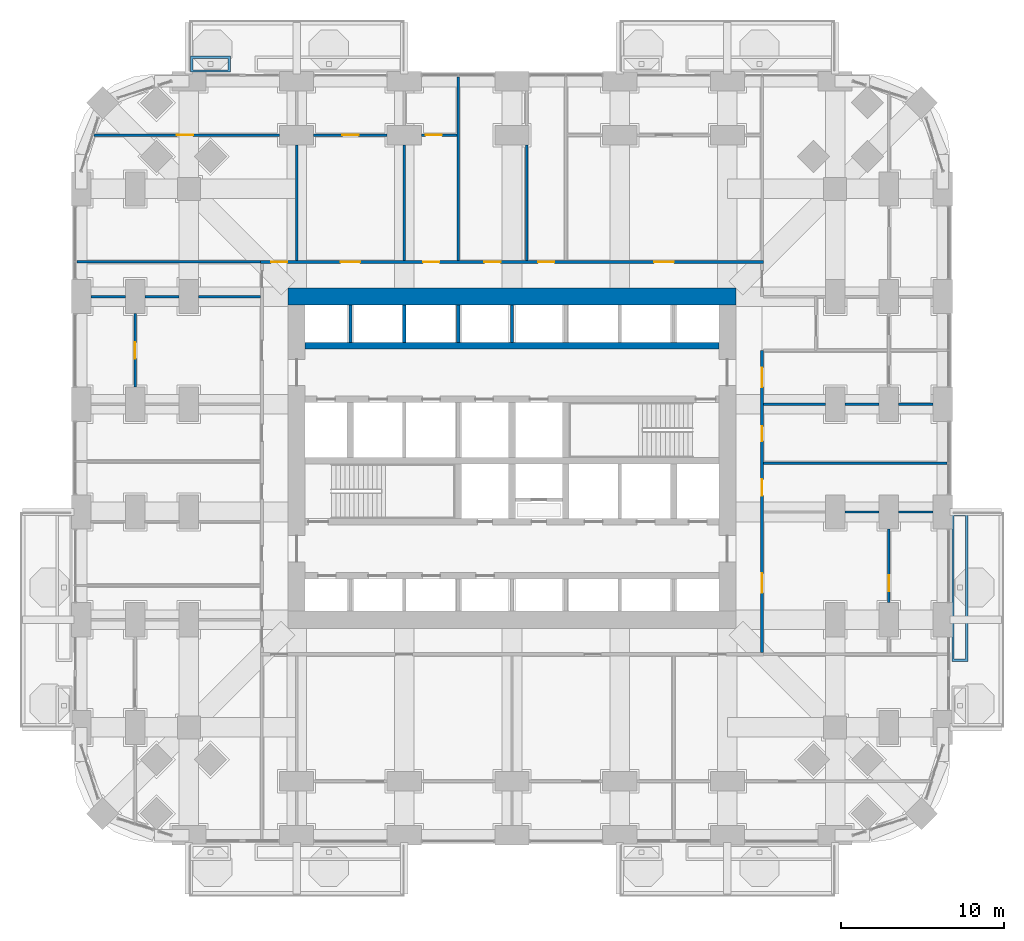
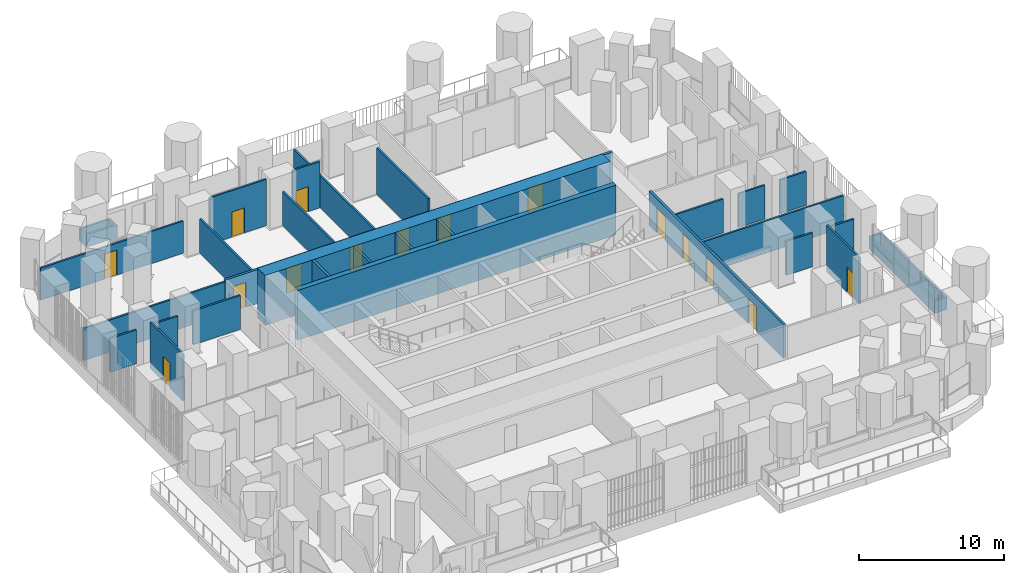
# One storey, part 21 of 27: 29 walls, 15 doors, 15 openings.
"""IFC4 building model written with IfcOpenShell, lengths in metres."""

from ifc_helpers import new_model, si_unit, direction, frame, frame_2d, origin, place, context, subcontext, project, spatial, polyline, rectangle, outline, extrude, material, layer, layer_set, type_object, element, fill, save


model = new_model("IFC4")

# Units and contexts
model_context = context("Model", 3, precision=1e-05, world=origin(), true_north=direction((0.0, 1.0)))
body_context = subcontext(model_context, "Body", "Model", "MODEL_VIEW")
ifc_project = project(units=[si_unit("LENGTHUNIT", "METRE"), si_unit("AREAUNIT", "SQUARE_METRE"), si_unit("VOLUMEUNIT", "CUBIC_METRE"), si_unit("PLANEANGLEUNIT", "RADIAN"), si_unit("MASSUNIT", "GRAM", prefix="KILO")], contexts=[model_context])

# Site, building, storey
site_placement = place(None, origin())
site = spatial("IfcSite", under=ifc_project, at=site_placement, CompositionType="ELEMENT")
building_placement = place(site_placement, origin())
building = spatial("IfcBuilding", under=site, at=building_placement, Name="Cobogo Forest Laboratory Tower", CompositionType="ELEMENT")
storey_placement = place(building_placement, frame((0.0, 0.0, 29.699951171875)))
storey = spatial("IfcBuildingStorey", under=building, at=storey_placement, Name="L06", CompositionType="ELEMENT", Elevation=29.699951171875)

# Walls
ifc_material_1 = material(Name="Concrete HA-50 (C50/60)", Category="concrete")
ifc_layer_1 = layer(ifc_material_1, 0.39990234375)
ifc_layer_set_1 = layer_set([ifc_layer_1], Name="CI400 core inner wall 400")
wall_type_1 = type_object("IfcWallType", Name="CI400 core inner wall 400", PredefinedType="SHEAR", material=ifc_layer_set_1)
wall_1_placement = place(storey_placement, frame((13.72509765625, 30.0, 0.0), z_axis=(0.0, 0.0, 1.0), x_axis=(1.0, 0.0, 0.0)))
element("IfcWall", 1, at=wall_1_placement, inside=storey, type_object=wall_type_1, Name="Core wall CI-30.0 L06", PredefinedType="SHEAR", context=body_context, shape_type="SweptSolid", body=[
    extrude(rectangle(XDim=25.349853515625, YDim=0.39990234375, at=frame_2d((12.6748046875, 0.0))), origin(), (0.0, 0.0, 1.0), 4.199951171875),
])
ifc_layer_2 = layer(ifc_material_1, 1.050048828125)
ifc_layer_set_2 = layer_set([ifc_layer_2], Name="CW1050 core outer wall 1050")
wall_type_2 = type_object("IfcWallType", Name="CW1050 core outer wall 1050", PredefinedType="SHEAR", material=ifc_layer_set_2)
wall_2_placement = place(storey_placement, frame((40.125, 33.0, 0.0), z_axis=(0.0, 0.0, 1.0), x_axis=(-1.0, 0.0, 0.0)))
element("IfcWall", 2, at=wall_2_placement, inside=storey, type_object=wall_type_2, Name="Core wall CO-N L06", PredefinedType="SHEAR", context=body_context, shape_type="SweptSolid", body=[
    extrude(rectangle(XDim=27.449951171875, YDim=1.050048828125, at=frame_2d((13.72509765625, 0.0))), origin(), (0.0, 0.0, 1.0), 4.199951171875),
])
ifc_material_2 = material(Name="Gypsum board on steel studs", Category="steel")
ifc_layer_3 = layer(ifc_material_2, 0.14990234375)
ifc_layer_set_3 = layer_set([ifc_layer_3], Name="PT1 laboratory partition 150")
wall_type_3 = type_object("IfcWallType", Name="PT1 laboratory partition 150", PredefinedType="PARTITIONING", material=ifc_layer_set_3)
wall_3_placement = place(storey_placement, frame((-0.27001953125, 35.125, 0.0), z_axis=(0.0, 0.0, 1.0), x_axis=(1.0, 0.0, 0.0)))
element("IfcWall", 3, at=wall_3_placement, inside=storey, type_object=wall_type_3, Name="Partition PW-NW L06", PredefinedType="PARTITIONING", context=body_context, shape_type="SweptSolid", body=[
    extrude(rectangle(XDim=11.2451171875, YDim=0.14990234375, at=frame_2d((5.62255859375, 0.0))), origin(), (0.0, 0.0, 1.0), 2.699951171875),
])

# Wall, opening, door
wall_4_placement = place(storey_placement, frame((49.5, 14.25, 0.0), z_axis=(0.0, 0.0, 1.0), x_axis=(0.0, 1.0, 0.0)))
wall_4 = element("IfcWall", 4, at=wall_4_placement, inside=storey, type_object=wall_type_3, Name="Partition STRIP-E-2 L06", PredefinedType="PARTITIONING", context=body_context, shape_type="SweptSolid", body=[
    extrude(rectangle(XDim=4.5, YDim=0.14990234375, at=frame_2d((2.25, 0.0))), origin(), (0.0, 0.0, 1.0), 3.900146484375),
])
opening_1_placement = place(wall_4_placement, frame((0.6875, 0.0, 0.0)))
opening_1 = element("IfcOpeningElement", 5, at=opening_1_placement, cuts=wall_4, Name="Opening L06-D16", PredefinedType="OPENING", context=body_context, shape_type="SweptSolid", body=[
    extrude(rectangle(XDim=1.0, YDim=2.10009765625, at=frame_2d((0.5, 1.050048828125))), frame((0.0, 0.0849609375, 0.0), z_axis=(0.0, -1.0, 0.0), x_axis=(1.0, 0.0, 0.0)), (0.0, 0.0, 1.0), 0.169921875),
])
ifc_material_3 = material(Name="Timber fire door", Category="wood")
door_type_1 = type_object("IfcDoorType", Name="FD2 fire door 1000 EI2 30", OperationType="SINGLE_SWING_LEFT", PredefinedType="DOOR", material=ifc_material_3)
door_1_placement = place(opening_1_placement, origin())
door_1 = element("IfcDoor", 6, at=door_1_placement, inside=storey, type_object=door_type_1, Name="Door L06-E1W", OperationType="SINGLE_SWING_LEFT", OverallHeight=2.10009765625, OverallWidth=1.0, PredefinedType="DOOR", context=body_context, shape_type="SweptSolid", body=[
    extrude(rectangle(XDim=1.0, YDim=2.10009765625, at=frame_2d((0.5, 1.050048828125))), frame((0.0, 0.02490234375, 0.0), z_axis=(0.0, -1.0, 0.0), x_axis=(1.0, 0.0, 0.0)), (0.0, 0.0, 1.0), 0.050048828125),
])
fill(opening_1, door_1)

# Walls
wall_5_placement = place(storey_placement, frame((53.070068359375, 22.800048828125, 0.0), z_axis=(0.0, 0.0, 1.0), x_axis=(-1.0, 0.0, 0.0)))
element("IfcWall", 7, at=wall_5_placement, inside=storey, type_object=wall_type_3, Name="Partition SVC-E1-1 L06", PredefinedType="PARTITIONING", context=body_context, shape_type="SweptSolid", body=[
    extrude(rectangle(XDim=11.2451171875, YDim=0.14990234375, at=frame_2d((5.62255859375, 0.0))), origin(), (0.0, 0.0, 1.0), 2.699951171875),
])
for number, where, z_axis, x_axis, name in (
    (8, (52.199951171875, 26.39990234375, 0.0), (0.0, 0.0, 1.0), (-1.0, 0.0, 0.0), "Partition SVC-E2-1 L06"),
    (9, (48.89990234375, 26.39990234375, 0.0), (0.0, 0.0, 1.0), (-1.0, 0.0, 0.0), "Partition SVC-E2-2 L06"),
):
    element("IfcWall", number, at=place(storey_placement, frame(where, z_axis=z_axis, x_axis=x_axis)), inside=storey, type_object=wall_type_3, Name=name, PredefinedType="PARTITIONING", context=body_context, shape_type="SweptSolid", body=[
        extrude(rectangle(XDim=2.099853515625, YDim=0.14990234375, at=frame_2d((1.0498046875, 0.0))), origin(), (0.0, 0.0, 1.0), 2.85009765625),
    ])
wall_6_placement = place(storey_placement, frame((45.60009765625, 26.39990234375, 0.0), z_axis=(0.0, 0.0, 1.0), x_axis=(-1.0, 0.0, 0.0)))
element("IfcWall", 10, at=wall_6_placement, inside=storey, type_object=wall_type_3, Name="Partition SVC-E2-3 L06", PredefinedType="PARTITIONING", context=body_context, shape_type="SweptSolid", body=[
    extrude(rectangle(XDim=3.775146484375, YDim=0.14990234375, at=frame_2d((1.8876953125, 0.0))), origin(), (0.0, 0.0, 1.0), 2.85009765625),
])
for number, where, z_axis, x_axis, name in (
    (11, (52.199951171875, 19.800048828125, 0.0), (0.0, 0.0, 1.0), (-1.0, 0.0, 0.0), "Partition CUT-E19.8-1 L06"),
    (12, (48.89990234375, 19.800048828125, 0.0), (0.0, 0.0, 1.0), (-1.0, 0.0, 0.0), "Partition CUT-E19.8-2 L06"),
):
    element("IfcWall", number, at=place(storey_placement, frame(where, z_axis=z_axis, x_axis=x_axis)), inside=storey, type_object=wall_type_3, Name=name, PredefinedType="PARTITIONING", context=body_context, shape_type="SweptSolid", body=[
        extrude(rectangle(XDim=2.099853515625, YDim=0.14990234375, at=frame_2d((1.0498046875, 0.0))), origin(), (0.0, 0.0, 1.0), 2.85009765625),
    ])

# Wall, opening, door
wall_7_placement = place(storey_placement, frame((23.02490234375, 42.89990234375, 0.0), z_axis=(0.0, 0.0, 1.0), x_axis=(-1.0, 0.0, 0.0)))
wall_7 = element("IfcWall", 13, at=wall_7_placement, inside=storey, type_object=wall_type_3, Name="Partition STRIP-N-4 L06", PredefinedType="PARTITIONING", context=body_context, shape_type="SweptSolid", body=[
    extrude(rectangle(XDim=2.1748046875, YDim=0.14990234375, at=frame_2d((1.08740234375, 0.0))), origin(), (0.0, 0.0, 1.0), 3.900146484375),
])
opening_2_placement = place(wall_7_placement, frame((0.925048828125, 0.0, 0.0)))
opening_2 = element("IfcOpeningElement", 14, at=opening_2_placement, cuts=wall_7, Name="Opening L06-D48", PredefinedType="OPENING", context=body_context, shape_type="SweptSolid", body=[
    extrude(rectangle(XDim=1.0, YDim=2.10009765625, at=frame_2d((0.5, 1.050048828125))), frame((0.0, 0.0849609375, 0.0), z_axis=(0.0, -1.0, 0.0), x_axis=(1.0, 0.0, 0.0)), (0.0, 0.0, 1.0), 0.169921875),
])
door_2_placement = place(opening_2_placement, origin())
door_2 = element("IfcDoor", 15, at=door_2_placement, inside=storey, type_object=door_type_1, Name="Door L06-N3W", OperationType="SINGLE_SWING_RIGHT", OverallHeight=2.10009765625, OverallWidth=1.0, PredefinedType="DOOR", context=body_context, shape_type="SweptSolid", body=[
    extrude(rectangle(XDim=1.0, YDim=2.10009765625, at=frame_2d((0.5, 1.050048828125))), frame((0.0, 0.02490234375, 0.0), z_axis=(0.0, -1.0, 0.0), x_axis=(1.0, 0.0, 0.0)), (0.0, 0.0, 1.0), 0.050048828125),
])
fill(opening_2, door_2)

wall_8_placement = place(storey_placement, frame((18.75, 42.89990234375, 0.0), z_axis=(0.0, 0.0, 1.0), x_axis=(-1.0, 0.0, 0.0)))
wall_8 = element("IfcWall", 16, at=wall_8_placement, inside=storey, type_object=wall_type_3, Name="Partition STRIP-N-5 L06", PredefinedType="PARTITIONING", context=body_context, shape_type="SweptSolid", body=[
    extrude(rectangle(XDim=4.5, YDim=0.14990234375, at=frame_2d((2.25, 0.0))), origin(), (0.0, 0.0, 1.0), 3.900146484375),
])
opening_3_placement = place(wall_8_placement, frame((1.75, 0.0, 0.0)))
opening_3 = element("IfcOpeningElement", 17, at=opening_3_placement, cuts=wall_8, Name="Opening L06-D47", PredefinedType="OPENING", context=body_context, shape_type="SweptSolid", body=[
    extrude(rectangle(XDim=1.0, YDim=2.10009765625, at=frame_2d((0.5, 1.050048828125))), frame((0.0, 0.0849609375, 0.0), z_axis=(0.0, -1.0, 0.0), x_axis=(1.0, 0.0, 0.0)), (0.0, 0.0, 1.0), 0.169921875),
])
door_3_placement = place(opening_3_placement, origin())
door_3 = element("IfcDoor", 18, at=door_3_placement, inside=storey, type_object=door_type_1, Name="Door L06-N2W", OperationType="SINGLE_SWING_LEFT", OverallHeight=2.10009765625, OverallWidth=1.0, PredefinedType="DOOR", context=body_context, shape_type="SweptSolid", body=[
    extrude(rectangle(XDim=1.0, YDim=2.10009765625, at=frame_2d((0.5, 1.050048828125))), frame((0.0, 0.02490234375, 0.0), z_axis=(0.0, -1.0, 0.0), x_axis=(1.0, 0.0, 0.0)), (0.0, 0.0, 1.0), 0.050048828125),
])
fill(opening_3, door_3)

wall_9_placement = place(storey_placement, frame((12.14990234375, 42.89990234375, 0.0), z_axis=(0.0, 0.0, 1.0), x_axis=(-1.0, 0.0, 0.0)))
wall_9 = element("IfcWall", 19, at=wall_9_placement, inside=storey, type_object=wall_type_3, Name="Partition STRIP-N-6 L06", PredefinedType="PARTITIONING", context=body_context, shape_type="SweptSolid", body=[
    extrude(rectangle(XDim=11.373779296875, YDim=0.14990234375, at=frame_2d((5.68701171875, 0.0))), origin(), (0.0, 0.0, 1.0), 2.699951171875),
])
opening_4_placement = place(wall_9_placement, frame((5.2919921875, 0.0, 0.0)))
opening_4 = element("IfcOpeningElement", 20, at=opening_4_placement, cuts=wall_9, Name="Opening L06-D46", PredefinedType="OPENING", context=body_context, shape_type="SweptSolid", body=[
    extrude(rectangle(XDim=1.0, YDim=2.10009765625, at=frame_2d((0.5, 1.050048828125))), frame((0.0, 0.0849609375, 0.0), z_axis=(0.0, -1.0, 0.0), x_axis=(1.0, 0.0, 0.0)), (0.0, 0.0, 1.0), 0.169921875),
])
door_4_placement = place(opening_4_placement, origin())
door_4 = element("IfcDoor", 21, at=door_4_placement, inside=storey, type_object=door_type_1, Name="Door L06-N1W", OperationType="SINGLE_SWING_RIGHT", OverallHeight=2.10009765625, OverallWidth=1.0, PredefinedType="DOOR", context=body_context, shape_type="SweptSolid", body=[
    extrude(rectangle(XDim=1.0, YDim=2.10009765625, at=frame_2d((0.5, 1.050048828125))), frame((0.0, 0.02490234375, 0.0), z_axis=(0.0, -1.0, 0.0), x_axis=(1.0, 0.0, 0.0)), (0.0, 0.0, 1.0), 0.050048828125),
])
fill(opening_4, door_4)

# Walls
wall_10_placement = place(storey_placement, frame((27.300048828125, 42.300048828125, 0.0), z_axis=(0.0, 0.0, 1.0), x_axis=(0.0, -1.0, 0.0)))
element("IfcWall", 22, at=wall_10_placement, inside=storey, type_object=wall_type_3, Name="Partition SVC-N1-2 L06", PredefinedType="PARTITIONING", context=body_context, shape_type="SweptSolid", body=[
    extrude(rectangle(XDim=7.074951171875, YDim=0.14990234375, at=frame_2d((3.53759765625, 0.0))), origin(), (0.0, 0.0, 1.0), 3.900146484375),
])
for number, where, z_axis, x_axis, name in (
    (23, (13.199951171875, 42.300048828125, 0.0), (0.0, 0.0, 1.0), (0.0, -1.0, 0.0), "Partition CUT-N13.2b-1 L06"),
    (24, (19.800048828125, 42.300048828125, 0.0), (0.0, 0.0, 1.0), (0.0, -1.0, 0.0), "Partition CUT-N19.8b-1 L06"),
):
    element("IfcWall", number, at=place(storey_placement, frame(where, z_axis=z_axis, x_axis=x_axis)), inside=storey, type_object=wall_type_3, Name=name, PredefinedType="PARTITIONING", context=body_context, shape_type="SweptSolid", body=[
        extrude(rectangle(XDim=7.074951171875, YDim=0.14990234375, at=frame_2d((3.53759765625, 0.0))), origin(), (0.0, 0.0, 1.0), 2.85009765625),
    ])
wall_11_placement = place(storey_placement, frame((23.10009765625, 46.469970703125, 0.0), z_axis=(0.0, 0.0, 1.0), x_axis=(0.0, -1.0, 0.0)))
element("IfcWall", 25, at=wall_11_placement, inside=storey, type_object=wall_type_3, Name="Partition CUT-N23.1-1 L06", PredefinedType="PARTITIONING", context=body_context, shape_type="SweptSolid", body=[
    extrude(rectangle(XDim=11.244873046875, YDim=0.14990234375, at=frame_2d((5.62255859375, 0.0))), origin(), (0.0, 0.0, 1.0), 2.699951171875),
])

# Wall, opening, door
wall_12_placement = place(storey_placement, frame((3.300048828125, 31.949951171875, 0.0), z_axis=(0.0, 0.0, 1.0), x_axis=(0.0, -1.0, 0.0)))
wall_12 = element("IfcWall", 26, at=wall_12_placement, inside=storey, type_object=wall_type_3, Name="Partition STRIP-W-1 L06", PredefinedType="PARTITIONING", context=body_context, shape_type="SweptSolid", body=[
    extrude(rectangle(XDim=4.5, YDim=0.14990234375, at=frame_2d((2.25, 0.0))), origin(), (0.0, 0.0, 1.0), 3.900146484375),
])
opening_5_placement = place(wall_12_placement, frame((1.75, 0.0, 0.0)))
opening_5 = element("IfcOpeningElement", 27, at=opening_5_placement, cuts=wall_12, Name="Opening L06-D33", PredefinedType="OPENING", context=body_context, shape_type="SweptSolid", body=[
    extrude(rectangle(XDim=1.0, YDim=2.10009765625, at=frame_2d((0.5, 1.050048828125))), frame((0.0, 0.0849609375, 0.0), z_axis=(0.0, -1.0, 0.0), x_axis=(1.0, 0.0, 0.0)), (0.0, 0.0, 1.0), 0.169921875),
])
door_5_placement = place(opening_5_placement, origin())
door_5 = element("IfcDoor", 28, at=door_5_placement, inside=storey, type_object=door_type_1, Name="Door L06-W3W", OperationType="SINGLE_SWING_LEFT", OverallHeight=2.10009765625, OverallWidth=1.0, PredefinedType="DOOR", context=body_context, shape_type="SweptSolid", body=[
    extrude(rectangle(XDim=1.0, YDim=2.10009765625, at=frame_2d((0.5, 1.050048828125))), frame((0.0, 0.02490234375, 0.0), z_axis=(0.0, -1.0, 0.0), x_axis=(1.0, 0.0, 0.0)), (0.0, 0.0, 1.0), 0.050048828125),
])
fill(opening_5, door_5)

# Walls
wall_13_placement = place(storey_placement, frame((0.60009765625, 33.0, 0.0), z_axis=(0.0, 0.0, 1.0), x_axis=(1.0, 0.0, 0.0)))
element("IfcWall", 29, at=wall_13_placement, inside=storey, type_object=wall_type_3, Name="Partition CUT-W33-1 L06", PredefinedType="PARTITIONING", context=body_context, shape_type="SweptSolid", body=[
    extrude(rectangle(XDim=2.099853515625, YDim=0.14990234375, at=frame_2d((1.0498046875, 0.0))), origin(), (0.0, 0.0, 1.0), 2.85009765625),
])
wall_14_placement = place(storey_placement, frame((3.89990234375, 33.0, 0.0), z_axis=(0.0, 0.0, 1.0), x_axis=(1.0, 0.0, 0.0)))
element("IfcWall", 30, at=wall_14_placement, inside=storey, type_object=wall_type_3, Name="Partition CUT-W33-2 L06", PredefinedType="PARTITIONING", context=body_context, shape_type="SweptSolid", body=[
    extrude(rectangle(XDim=2.10009765625, YDim=0.14990234375, at=frame_2d((1.050048828125, 0.0))), origin(), (0.0, 0.0, 1.0), 2.85009765625),
])
wall_15_placement = place(storey_placement, frame((7.199951171875, 33.0, 0.0), z_axis=(0.0, 0.0, 1.0), x_axis=(1.0, 0.0, 0.0)))
element("IfcWall", 31, at=wall_15_placement, inside=storey, type_object=wall_type_3, Name="Partition CUT-W33-3 L06", PredefinedType="PARTITIONING", context=body_context, shape_type="SweptSolid", body=[
    extrude(rectangle(XDim=3.775146484375, YDim=0.14990234375, at=frame_2d((1.8876953125, 0.0))), origin(), (0.0, 0.0, 1.0), 2.85009765625),
])

# Wall, openings, doors
ifc_layer_4 = layer(ifc_material_2, 0.199951171875)
ifc_layer_set_4 = layer_set([ifc_layer_4], Name="PT2 fire-rated corridor partition 200")
wall_type_4 = type_object("IfcWallType", Name="PT2 fire-rated corridor partition 200", PredefinedType="PARTITIONING", material=ifc_layer_set_4)
wall_16_placement = place(storey_placement, frame((10.97509765625, 35.125, 0.0), z_axis=(0.0, 0.0, 1.0), x_axis=(1.0, 0.0, 0.0)))
wall_16 = element("IfcWall", 32, at=wall_16_placement, inside=storey, type_object=wall_type_4, Name="Partition CORR-N L06", PredefinedType="PARTITIONING", context=body_context, shape_type="SweptSolid", body=[
    extrude(rectangle(XDim=30.849853515625, YDim=0.199951171875, at=frame_2d((15.4248046875, 0.0))), origin(), (0.0, 0.0, 1.0), 2.85009765625),
])
opening_6_placement = place(wall_16_placement, frame((0.66259765625, 0.0, 0.0)))
opening_6 = element("IfcOpeningElement", 33, at=opening_6_placement, cuts=wall_16, Name="Opening L06-D39", PredefinedType="OPENING", context=body_context, shape_type="SweptSolid", body=[
    extrude(rectangle(XDim=1.0, YDim=2.10009765625, at=frame_2d((0.5, 1.050048828125))), frame((0.0, 0.10986328125, 0.0), z_axis=(0.0, -1.0, 0.0), x_axis=(1.0, 0.0, 0.0)), (0.0, 0.0, 1.0), 0.219970703125),
])
opening_7_placement = place(wall_16_placement, frame((4.925048828125, 0.0, 0.0)))
opening_7 = element("IfcOpeningElement", 34, at=opening_7_placement, cuts=wall_16, Name="Opening L06-D40", PredefinedType="OPENING", context=body_context, shape_type="SweptSolid", body=[
    extrude(rectangle(XDim=1.199951171875, YDim=2.10009765625, at=frame_2d((0.60009765625, 1.050048828125))), frame((0.0, 0.10986328125, 0.0), z_axis=(0.0, -1.0, 0.0), x_axis=(1.0, 0.0, 0.0)), (0.0, 0.0, 1.0), 0.219970703125),
])
opening_8_placement = place(wall_16_placement, frame((9.97509765625, 0.0, 0.0)))
opening_8 = element("IfcOpeningElement", 35, at=opening_8_placement, cuts=wall_16, Name="Opening L06-D41", PredefinedType="OPENING", context=body_context, shape_type="SweptSolid", body=[
    extrude(rectangle(XDim=1.0, YDim=2.10009765625, at=frame_2d((0.5, 1.050048828125))), frame((0.0, 0.10986328125, 0.0), z_axis=(0.0, -1.0, 0.0), x_axis=(1.0, 0.0, 0.0)), (0.0, 0.0, 1.0), 0.219970703125),
])
opening_9_placement = place(wall_16_placement, frame((13.72509765625, 0.0, 0.0)))
opening_9 = element("IfcOpeningElement", 36, at=opening_9_placement, cuts=wall_16, Name="Opening L06-D42", PredefinedType="OPENING", context=body_context, shape_type="SweptSolid", body=[
    extrude(rectangle(XDim=1.0, YDim=2.10009765625, at=frame_2d((0.5, 1.050048828125))), frame((0.0, 0.10986328125, 0.0), z_axis=(0.0, -1.0, 0.0), x_axis=(1.0, 0.0, 0.0)), (0.0, 0.0, 1.0), 0.219970703125),
])
opening_10_placement = place(wall_16_placement, frame((17.02490234375, 0.0, 0.0)))
opening_10 = element("IfcOpeningElement", 37, at=opening_10_placement, cuts=wall_16, Name="Opening L06-D43", PredefinedType="OPENING", context=body_context, shape_type="SweptSolid", body=[
    extrude(rectangle(XDim=1.0, YDim=2.10009765625, at=frame_2d((0.5, 1.050048828125))), frame((0.0, 0.10986328125, 0.0), z_axis=(0.0, -1.0, 0.0), x_axis=(1.0, 0.0, 0.0)), (0.0, 0.0, 1.0), 0.219970703125),
])
opening_11_placement = place(wall_16_placement, frame((24.137451171875, 0.0, 0.0)))
opening_11 = element("IfcOpeningElement", 38, at=opening_11_placement, cuts=wall_16, Name="Opening L06-D44", PredefinedType="OPENING", context=body_context, shape_type="SweptSolid", body=[
    extrude(rectangle(XDim=1.199951171875, YDim=2.10009765625, at=frame_2d((0.60009765625, 1.050048828125))), frame((0.0, 0.10986328125, 0.0), z_axis=(0.0, -1.0, 0.0), x_axis=(1.0, 0.0, 0.0)), (0.0, 0.0, 1.0), 0.219970703125),
])
ifc_material_4 = material(Name="Timber door", Category="wood")
door_type_2 = type_object("IfcDoorType", Name="D2 laboratory door 1200 unequal pair", OperationType="DOUBLE_DOOR_SINGLE_SWING", PredefinedType="DOOR", material=ifc_material_4)
door_6_placement = place(opening_7_placement, origin())
door_6 = element("IfcDoor", 39, at=door_6_placement, inside=storey, type_object=door_type_2, Name="Door L06-N2", OperationType="DOUBLE_DOOR_SINGLE_SWING", OverallHeight=2.10009765625, OverallWidth=1.199951171875, PredefinedType="DOOR", context=body_context, shape_type="SweptSolid", body=[
    extrude(rectangle(XDim=1.199951171875, YDim=2.10009765625, at=frame_2d((0.60009765625, 1.050048828125))), frame((0.0, 0.02490234375, 0.0), z_axis=(0.0, -1.0, 0.0), x_axis=(1.0, 0.0, 0.0)), (0.0, 0.0, 1.0), 0.050048828125),
])
fill(opening_7, door_6)
door_7_placement = place(opening_11_placement, origin())
door_7 = element("IfcDoor", 40, at=door_7_placement, inside=storey, type_object=door_type_2, Name="Door L06-N5", OperationType="DOUBLE_DOOR_SINGLE_SWING", OverallHeight=2.10009765625, OverallWidth=1.199951171875, PredefinedType="DOOR", context=body_context, shape_type="SweptSolid", body=[
    extrude(rectangle(XDim=1.199951171875, YDim=2.10009765625, at=frame_2d((0.60009765625, 1.050048828125))), frame((0.0, 0.02490234375, 0.0), z_axis=(0.0, -1.0, 0.0), x_axis=(1.0, 0.0, 0.0)), (0.0, 0.0, 1.0), 0.050048828125),
])
fill(opening_11, door_7)
ifc_material_5 = material(Name="Steel fire door", Category="steel")
door_type_3 = type_object("IfcDoorType", Name="FD1 fire door 1000 EI2 60", OperationType="SINGLE_SWING_LEFT", PredefinedType="DOOR", material=ifc_material_5)
door_8_placement = place(opening_8_placement, origin())
door_8 = element("IfcDoor", 41, at=door_8_placement, inside=storey, type_object=door_type_3, Name="Door L06-N3", OperationType="SINGLE_SWING_LEFT", OverallHeight=2.10009765625, OverallWidth=1.0, PredefinedType="DOOR", context=body_context, shape_type="SweptSolid", body=[
    extrude(rectangle(XDim=1.0, YDim=2.10009765625, at=frame_2d((0.5, 1.050048828125))), frame((0.0, 0.02490234375, 0.0), z_axis=(0.0, -1.0, 0.0), x_axis=(1.0, 0.0, 0.0)), (0.0, 0.0, 1.0), 0.050048828125),
])
fill(opening_8, door_8)
door_9_placement = place(opening_6_placement, origin())
door_9 = element("IfcDoor", 42, at=door_9_placement, inside=storey, type_object=door_type_1, Name="Door L06-N1", OperationType="SINGLE_SWING_LEFT", OverallHeight=2.10009765625, OverallWidth=1.0, PredefinedType="DOOR", context=body_context, shape_type="SweptSolid", body=[
    extrude(rectangle(XDim=1.0, YDim=2.10009765625, at=frame_2d((0.5, 1.050048828125))), frame((0.0, 0.02490234375, 0.0), z_axis=(0.0, -1.0, 0.0), x_axis=(1.0, 0.0, 0.0)), (0.0, 0.0, 1.0), 0.050048828125),
])
fill(opening_6, door_9)
door_10_placement = place(opening_9_placement, origin())
door_10 = element("IfcDoor", 43, at=door_10_placement, inside=storey, type_object=door_type_1, Name="Door L06-MTG", OperationType="SINGLE_SWING_LEFT", OverallHeight=2.10009765625, OverallWidth=1.0, PredefinedType="DOOR", context=body_context, shape_type="SweptSolid", body=[
    extrude(rectangle(XDim=1.0, YDim=2.10009765625, at=frame_2d((0.5, 1.050048828125))), frame((0.0, 0.02490234375, 0.0), z_axis=(0.0, -1.0, 0.0), x_axis=(1.0, 0.0, 0.0)), (0.0, 0.0, 1.0), 0.050048828125),
])
fill(opening_9, door_10)
door_11_placement = place(opening_10_placement, origin())
door_11 = element("IfcDoor", 44, at=door_11_placement, inside=storey, type_object=door_type_1, Name="Door L06-PAN", OperationType="SINGLE_SWING_RIGHT", OverallHeight=2.10009765625, OverallWidth=1.0, PredefinedType="DOOR", context=body_context, shape_type="SweptSolid", body=[
    extrude(rectangle(XDim=1.0, YDim=2.10009765625, at=frame_2d((0.5, 1.050048828125))), frame((0.0, 0.02490234375, 0.0), z_axis=(0.0, -1.0, 0.0), x_axis=(1.0, 0.0, 0.0)), (0.0, 0.0, 1.0), 0.050048828125),
])
fill(opening_10, door_11)

wall_17_placement = place(storey_placement, frame((41.72509765625, 11.175048828125, 0.0), z_axis=(0.0, 0.0, 1.0), x_axis=(0.0, 1.0, 0.0)))
wall_17 = element("IfcWall", 45, at=wall_17_placement, inside=storey, type_object=wall_type_4, Name="Partition CORR-E-1 L06", PredefinedType="PARTITIONING", context=body_context, shape_type="SweptSolid", body=[
    extrude(rectangle(XDim=18.52490234375, YDim=0.199951171875, at=frame_2d((9.262451171875, 0.0))), origin(), (0.0, 0.0, 1.0), 2.85009765625),
])
opening_12_placement = place(wall_17_placement, frame((3.66259765625, 0.0, 0.0)))
opening_12 = element("IfcOpeningElement", 46, at=opening_12_placement, cuts=wall_17, Name="Opening L06-D15", PredefinedType="OPENING", context=body_context, shape_type="SweptSolid", body=[
    extrude(rectangle(XDim=1.199951171875, YDim=2.10009765625, at=frame_2d((0.60009765625, 1.050048828125))), frame((0.0, 0.10986328125, 0.0), z_axis=(0.0, -1.0, 0.0), x_axis=(1.0, 0.0, 0.0)), (0.0, 0.0, 1.0), 0.219970703125),
])
opening_13_placement = place(wall_17_placement, frame((9.625, 0.0, 0.0)))
opening_13 = element("IfcOpeningElement", 47, at=opening_13_placement, cuts=wall_17, Name="Opening L06-D25", PredefinedType="OPENING", context=body_context, shape_type="SweptSolid", body=[
    extrude(rectangle(XDim=1.0, YDim=2.10009765625, at=frame_2d((0.5, 1.050048828125))), frame((0.0, 0.10986328125, 0.0), z_axis=(0.0, -1.0, 0.0), x_axis=(1.0, 0.0, 0.0)), (0.0, 0.0, 1.0), 0.219970703125),
])
opening_14_placement = place(wall_17_placement, frame((12.97509765625, 0.0, 0.0)))
opening_14 = element("IfcOpeningElement", 48, at=opening_14_placement, cuts=wall_17, Name="Opening L06-D26", PredefinedType="OPENING", context=body_context, shape_type="SweptSolid", body=[
    extrude(rectangle(XDim=0.89990234375, YDim=2.10009765625, at=frame_2d((0.449951171875, 1.050048828125))), frame((0.0, 0.10986328125, 0.0), z_axis=(0.0, -1.0, 0.0), x_axis=(1.0, 0.0, 0.0)), (0.0, 0.0, 1.0), 0.219970703125),
])
opening_15_placement = place(wall_17_placement, frame((16.27490234375, 0.0, 0.0)))
opening_15 = element("IfcOpeningElement", 49, at=opening_15_placement, cuts=wall_17, Name="Opening L06-D29", PredefinedType="OPENING", context=body_context, shape_type="SweptSolid", body=[
    extrude(rectangle(XDim=1.199951171875, YDim=2.10009765625, at=frame_2d((0.60009765625, 1.050048828125))), frame((0.0, 0.10986328125, 0.0), z_axis=(0.0, -1.0, 0.0), x_axis=(1.0, 0.0, 0.0)), (0.0, 0.0, 1.0), 0.219970703125),
])
door_12_placement = place(opening_12_placement, origin())
door_12 = element("IfcDoor", 50, at=door_12_placement, inside=storey, type_object=door_type_2, Name="Door L06-E1", OperationType="DOUBLE_DOOR_SINGLE_SWING", OverallHeight=2.10009765625, OverallWidth=1.199951171875, PredefinedType="DOOR", context=body_context, shape_type="SweptSolid", body=[
    extrude(rectangle(XDim=1.199951171875, YDim=2.10009765625, at=frame_2d((0.60009765625, 1.050048828125))), frame((0.0, 0.02490234375, 0.0), z_axis=(0.0, -1.0, 0.0), x_axis=(1.0, 0.0, 0.0)), (0.0, 0.0, 1.0), 0.050048828125),
])
fill(opening_12, door_12)
door_13_placement = place(opening_15_placement, origin())
door_13 = element("IfcDoor", 51, at=door_13_placement, inside=storey, type_object=door_type_2, Name="Door L06-E2", OperationType="DOUBLE_DOOR_SINGLE_SWING", OverallHeight=2.10009765625, OverallWidth=1.199951171875, PredefinedType="DOOR", context=body_context, shape_type="SweptSolid", body=[
    extrude(rectangle(XDim=1.199951171875, YDim=2.10009765625, at=frame_2d((0.60009765625, 1.050048828125))), frame((0.0, 0.02490234375, 0.0), z_axis=(0.0, -1.0, 0.0), x_axis=(1.0, 0.0, 0.0)), (0.0, 0.0, 1.0), 0.050048828125),
])
fill(opening_15, door_13)
door_14_placement = place(opening_13_placement, origin())
door_14 = element("IfcDoor", 52, at=door_14_placement, inside=storey, type_object=door_type_3, Name="Door L06-ELEC", OperationType="SINGLE_SWING_RIGHT", OverallHeight=2.10009765625, OverallWidth=1.0, PredefinedType="DOOR", context=body_context, shape_type="SweptSolid", body=[
    extrude(rectangle(XDim=1.0, YDim=2.10009765625, at=frame_2d((0.5, 1.050048828125))), frame((0.0, 0.02490234375, 0.0), z_axis=(0.0, -1.0, 0.0), x_axis=(1.0, 0.0, 0.0)), (0.0, 0.0, 1.0), 0.050048828125),
])
fill(opening_13, door_14)
door_type_4 = type_object("IfcDoorType", Name="FD4 riser access door 900 EI2 60", OperationType="SINGLE_SWING_LEFT", PredefinedType="DOOR", material=ifc_material_5)
door_15_placement = place(opening_14_placement, origin())
door_15 = element("IfcDoor", 53, at=door_15_placement, inside=storey, type_object=door_type_4, Name="Door L06-COMMS", OperationType="SINGLE_SWING_RIGHT", OverallHeight=2.10009765625, OverallWidth=0.89990234375, PredefinedType="DOOR", context=body_context, shape_type="SweptSolid", body=[
    extrude(rectangle(XDim=0.89990234375, YDim=2.10009765625, at=frame_2d((0.449951171875, 1.050048828125))), frame((0.0, 0.02490234375, 0.0), z_axis=(0.0, -1.0, 0.0), x_axis=(1.0, 0.0, 0.0)), (0.0, 0.0, 1.0), 0.050048828125),
])
fill(opening_14, door_15)

# Walls
ifc_material_6 = material(Name="Concrete HA-40 (C40/50)", Category="concrete")
ifc_layer_5 = layer(ifc_material_6, 0.14990234375)
ifc_layer_set_5 = layer_set([ifc_layer_5], Name="Planter box 1000x1050")
wall_type_5 = type_object("IfcWallType", Name="Planter box 1000x1050", PredefinedType="USERDEFINED", material=ifc_layer_set_5)
wall_18_placement = place(storey_placement, origin())
element("IfcWall", 54, at=wall_18_placement, inside=storey, type_object=wall_type_5, Name="Planter BAL-E1-2 L06", ObjectType="PLANTER", PredefinedType="USERDEFINED", context=body_context, shape_type="SweptSolid", body=[
    extrude(outline(polyline([(53.35009765625, 10.64990234375), (54.35009765625, 10.64990234375), (54.35009765625, 19.699951171875), (53.35009765625, 19.699951171875), (53.35009765625, 10.64990234375)]), holes=[polyline([(53.5, 10.800048828125), (54.199951171875, 10.800048828125), (54.199951171875, 19.550048828125), (53.5, 19.550048828125), (53.5, 10.800048828125)])]), origin(), (0.0, 0.0, 1.0), 1.050048828125),
])
wall_19_placement = place(storey_placement, origin())
element("IfcWall", 55, at=wall_19_placement, inside=storey, type_object=wall_type_5, Name="Planter BAL-N1-1 L06", ObjectType="PLANTER", PredefinedType="USERDEFINED", context=body_context, shape_type="SweptSolid", body=[
    extrude(outline(polyline([(6.699951171875, 46.75), (9.14990234375, 46.75), (9.14990234375, 47.75), (6.699951171875, 47.75), (6.699951171875, 46.75)]), holes=[polyline([(6.85009765625, 46.89990234375), (9.0, 46.89990234375), (9.0, 47.60009765625), (6.85009765625, 47.60009765625), (6.85009765625, 46.89990234375)])]), origin(), (0.0, 0.0, 1.0), 1.050048828125),
])
ifc_material_7 = material(Name="Concrete block", Category="concrete")
ifc_layer_6 = layer(ifc_material_7, 0.199951171875)
ifc_layer_set_6 = layer_set([ifc_layer_6], Name="SW200 lift shaft separator 200")
wall_type_6 = type_object("IfcWallType", Name="SW200 lift shaft separator 200", PredefinedType="PARTITIONING", material=ifc_layer_set_6)
for number, where, z_axis, x_axis, name in (
    (56, (16.5, 30.199951171875, 0.0), (0.0, 0.0, 1.0), (0.0, 1.0, 0.0), "Core wall SEP-N1 L06"),
    (57, (19.800048828125, 30.199951171875, 0.0), (0.0, 0.0, 1.0), (0.0, 1.0, 0.0), "Core wall SEP-N2 L06"),
    (58, (23.10009765625, 30.199951171875, 0.0), (0.0, 0.0, 1.0), (0.0, 1.0, 0.0), "Core wall SEP-N3 L06"),
    (59, (26.39990234375, 30.199951171875, 0.0), (0.0, 0.0, 1.0), (0.0, 1.0, 0.0), "Core wall SEP-N4 L06"),
):
    element("IfcWall", number, at=place(storey_placement, frame(where, z_axis=z_axis, x_axis=x_axis)), inside=storey, type_object=wall_type_6, Name=name, PredefinedType="PARTITIONING", context=body_context, shape_type="SweptSolid", body=[
        extrude(rectangle(XDim=2.275146484375, YDim=0.199951171875, at=frame_2d((1.1376953125, 0.0))), origin(), (0.0, 0.0, 1.0), 4.199951171875),
    ])

save(model, "model.ifc")
